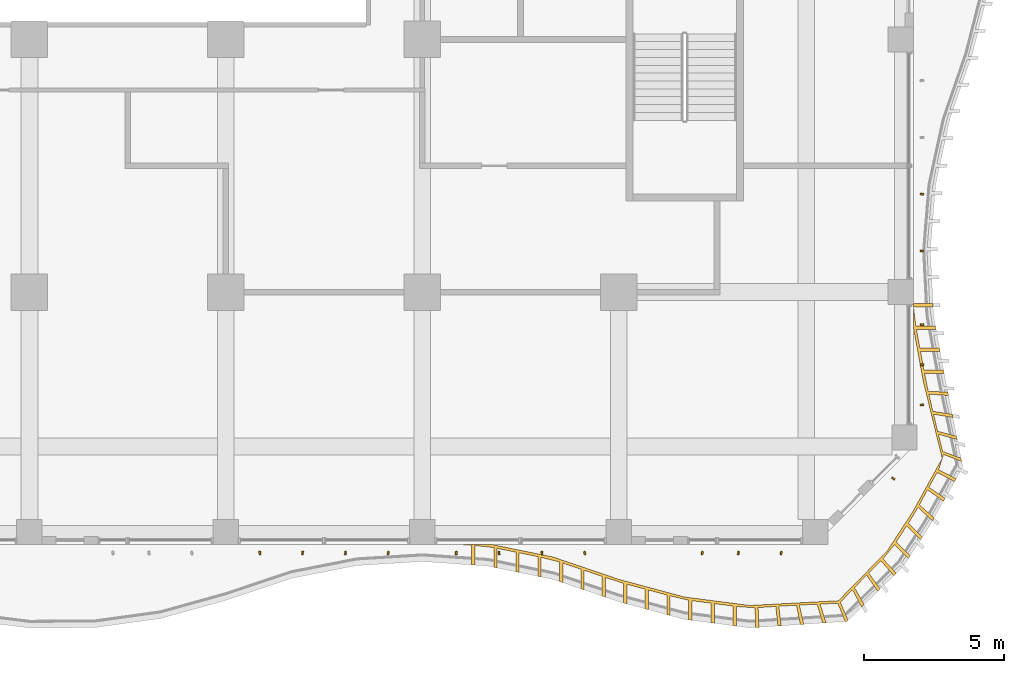
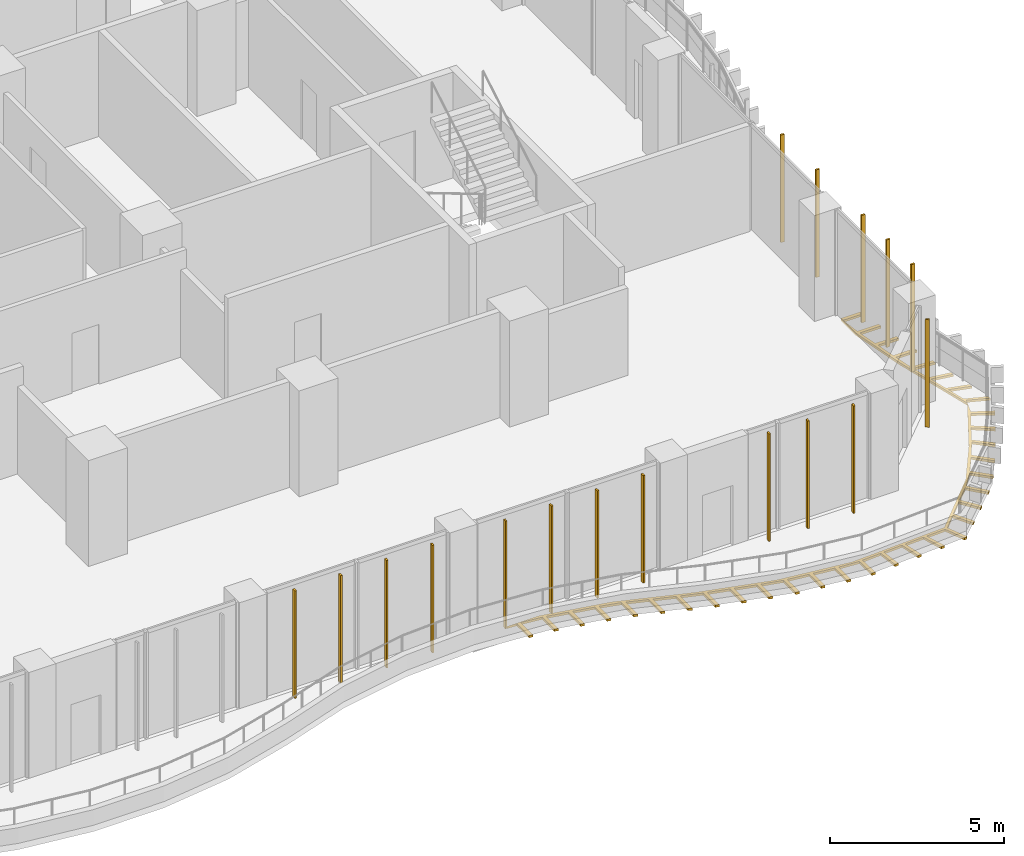
# One storey, part 21 of 26: 18 shading devices.
"""IFC4 building model written with IfcOpenShell, lengths in metres."""

from ifc_helpers import new_model, si_unit, direction, frame, origin, origin_2d, place, context, subcontext, project, spatial, polyline, rectangle, outline, extrude, source, transform, mapped, material, layer, layer_set, material_profile, profile_set, type_object, element, save


model = new_model("IFC4")

# Units and contexts
model_context = context("Model", 3, precision=1e-05, world=origin(), true_north=direction((0.0, 1.0)))
body_context = subcontext(model_context, "Body", "Model", "MODEL_VIEW")
ifc_project = project(units=[si_unit("LENGTHUNIT", "METRE"), si_unit("AREAUNIT", "SQUARE_METRE"), si_unit("VOLUMEUNIT", "CUBIC_METRE"), si_unit("PLANEANGLEUNIT", "RADIAN"), si_unit("MASSUNIT", "GRAM", prefix="KILO")], contexts=[model_context])

# Site, building, storey
site_placement = place(None, origin())
site = spatial("IfcSite", under=ifc_project, at=site_placement, CompositionType="ELEMENT")
building_placement = place(site_placement, origin())
building = spatial("IfcBuilding", under=site, at=building_placement, Name="Kilnfold Tower and Market Hall", CompositionType="ELEMENT")
storey_placement = place(building_placement, frame((0.0, 0.0, 31.0)))
storey = spatial("IfcBuildingStorey", under=building, at=storey_placement, Name="L06", CompositionType="ELEMENT", Elevation=31.0)

# Shading devices
ifc_material_1 = material(Name="Terracotta", Category="masonry")
ifc_material_profile = material_profile(ifc_material_1, rectangle(XDim=0.06005859375, YDim=0.1201171875, at=origin_2d()), Name="BAG 60x120")
ifc_profile_set = profile_set([ifc_material_profile], Name="Terracotta")
shading_device_type_1 = type_object("IfcShadingDeviceType", Name="BAGUETTE", PredefinedType="USERDEFINED", material=ifc_profile_set)
shared_shape_1 = source(origin(), body_context, "Body", "SweptSolid", [
    extrude(rectangle(XDim=0.06005859375, YDim=0.1201171875, at=origin_2d()), origin(), (0.0, 0.0, 1.0), 3.780029296875),
])
for number, where, z_axis, x_axis, name in (
    (1, (4.71240234375, -28.300048828125, 0.0), (0.0, 0.0, 1.0), (0.999671297003, 0.025637822595, 0.0), "Terracotta baguette L06 S"),
    (2, (6.237548828125, -28.300048828125, 0.0), (0.0, 0.0, 1.0), (0.997762431677, -0.066859030313, 0.0), "Terracotta baguette L06 S"),
    (3, (7.762451171875, -28.300048828125, 0.0), (0.0, 0.0, 1.0), (0.991650018709, -0.128958289356, 0.0), "Terracotta baguette L06 S"),
    (4, (9.28759765625, -28.300048828125, 0.0), (0.0, 0.0, 1.0), (0.991104625852, -0.133085012734, 0.0), "Terracotta baguette L06 S"),
    (5, (11.71240234375, -28.300048828125, 0.0), (0.0, 0.0, 1.0), (0.999671297003, -0.025637822595, 0.0), "Terracotta baguette L06 S"),
    (6, (13.237548828125, -28.300048828125, 0.0), (0.0, 0.0, 1.0), (0.997762431677, 0.066859030313, 0.0), "Terracotta baguette L06 S"),
    (7, (14.762451171875, -28.300048828125, 0.0), (0.0, 0.0, 1.0), (0.991650018709, 0.128958289356, 0.0), "Terracotta baguette L06 S"),
    (8, (16.28759765625, -28.300048828125, 0.0), (0.0, 0.0, 1.0), (0.991104625852, 0.133085012734, 0.0), "Terracotta baguette L06 S"),
    (9, (20.47509765625, -28.300048828125, 0.0), (0.0, 0.0, 1.0), (0.996836289843, -0.079482144235, 0.0), "Terracotta baguette L06 S"),
    (10, (21.762451171875, -28.300048828125, 0.0), (0.0, 0.0, 1.0), (0.991650018709, -0.128958289356, 0.0), "Terracotta baguette L06 S"),
    (11, (23.28759765625, -28.300048828125, 0.0), (0.0, 0.0, 1.0), (0.991104625852, -0.133085012734, 0.0), "Terracotta baguette L06 S"),
    (12, (27.28173828125, -25.642578125, 0.0), (0.0, 0.0, 1.0), (0.625555890795, 0.780179355976, 0.0), "Terracotta baguette L06 SE"),
    (13, (28.300048828125, -23.018310546875, 0.0), (0.0, 0.0, 1.0), (-0.116005081588, 0.993248619957, 0.0), "Terracotta baguette L06 E"),
    (14, (28.300048828125, -21.5908203125, 0.0), (0.0, 0.0, 1.0), (-0.046993129945, 0.998895212591, 0.0), "Terracotta baguette L06 E"),
    (15, (28.300048828125, -20.16357421875, 0.0), (0.0, 0.0, 1.0), (0.040871204916, 0.99916442321, 0.0), "Terracotta baguette L06 E"),
    (16, (28.300048828125, -17.53759765625, 0.0), (0.0, 0.0, 1.0), (0.138549141255, 0.990355560118, 0.0), "Terracotta baguette L06 E"),
    (17, (28.300048828125, -15.512451171875, 0.0), (0.0, 0.0, 1.0), (0.095741514349, 0.995406229853, 0.0), "Terracotta baguette L06 E"),
):
    element("IfcShadingDevice", number, at=place(storey_placement, frame(where, z_axis=z_axis, x_axis=x_axis)), inside=storey, type_object=shading_device_type_1, Name=name, ObjectType="BAGUETTE", PredefinedType="USERDEFINED", context=body_context, shape_type="MappedRepresentation", body=[
        mapped(shared_shape_1, transform((0.0, 0.0, 0.0))),
    ])
ifc_material_2 = material(Name="Bronze anodised aluminium", Category="aluminium")
ifc_layer = layer(ifc_material_2, 0.080078125)
ifc_layer_set = layer_set([ifc_layer], Name="Bronze anodised aluminium")
shading_device_type_2 = type_object("IfcShadingDeviceType", Name="BRONZE SLAT SOFFIT 80", PredefinedType="USERDEFINED", material=ifc_layer_set)
shared_shape_2 = source(origin(), body_context, "Body", "SweptSolid", [
    extrude(outline(polyline([(15.166748046875, -28.440185546875), (17.5, -29.232177734375), (19.833251953125, -29.860595703125), (22.166748046875, -30.1640625), (25.326416015625, -29.9951171875), (27.060302734375, -28.226806640625), (27.98095703125, -26.814208984375), (29.022216796875, -24.923583984375), (28.3466796875, -22.166748046875), (28.0, -20.27880859375), (28.0, -19.41455078125), (28.697509765625, -19.41455078125), (28.703369140625, -19.534423828125), (28.00341796875, -19.534423828125), (28.0869140625, -20.207763671875), (28.787109375, -20.207763671875), (28.80859375, -20.32568359375), (28.108642578125, -20.32568359375), (28.2314453125, -20.99462890625), (28.931396484375, -20.99462890625), (28.93408203125, -21.009521484375), (28.953125, -21.112548828125), (28.253173828125, -21.112548828125), (28.3759765625, -21.781494140625), (29.075927734375, -21.781494140625), (29.09765625, -21.8994140625), (28.397705078125, -21.8994140625), (28.52783203125, -22.53173828125), (29.22705078125, -22.56689453125), (29.250732421875, -22.684814453125), (28.55224609375, -22.638916015625), (28.6923828125, -23.245849609375), (29.384521484375, -23.351318359375), (29.408203125, -23.468994140625), (28.7177734375, -23.352783203125), (28.8642578125, -23.96044921875), (29.5419921875, -24.1357421875), (29.5654296875, -24.25341796875), (28.890380859375, -24.06787109375), (29.04248046875, -24.677490234375), (29.69921875, -24.920166015625), (29.722900390625, -25.03759765625), (29.06982421875, -24.785400390625), (28.898681640625, -25.335205078125), (29.523193359375, -25.6513671875), (29.464111328125, -25.755859375), (28.845703125, -25.427734375), (28.55078125, -25.954345703125), (29.129638671875, -26.347900390625), (29.07080078125, -26.452392578125), (28.49951171875, -26.047607421875), (28.21240234375, -26.580078125), (28.736083984375, -27.04443359375), (28.67724609375, -27.148681640625), (28.162109375, -26.6748046875), (27.8251953125, -27.232421875), (28.3203125, -27.727294921875), (28.254638671875, -27.827880859375), (27.759765625, -27.332763671875), (27.388427734375, -27.902587890625), (27.88330078125, -28.3974609375), (27.81787109375, -28.498046875), (27.322998046875, -28.0029296875), (26.918701171875, -28.504638671875), (27.390625, -29.021728515625), (27.3046875, -29.10546875), (26.841552734375, -28.58056640625), (26.406982421875, -29.012939453125), (26.817626953125, -29.579833984375), (26.731689453125, -29.66357421875), (26.330810546875, -29.089599609375), (25.9013671875, -29.528076171875), (26.244384765625, -30.13818359375), (26.158447265625, -30.2216796875), (25.82568359375, -29.60595703125), (25.398681640625, -30.051513671875), (25.67138671875, -30.6962890625), (25.632568359375, -30.734130859375), (25.56689453125, -30.738525390625), (25.3037109375, -30.08984375), (24.67529296875, -30.11669921875), (24.888427734375, -30.78369140625), (24.768798828125, -30.79150390625), (24.564697265625, -30.121826171875), (23.938720703125, -30.153076171875), (24.090087890625, -30.83642578125), (23.970458984375, -30.844482421875), (23.828369140625, -30.158935546875), (23.20361328125, -30.195068359375), (23.2919921875, -30.889404296875), (23.17236328125, -30.8974609375), (23.09326171875, -30.201904296875), (22.46826171875, -30.242919921875), (22.49365234375, -30.9423828125), (22.3740234375, -30.9501953125), (22.35791015625, -30.25048828125), (21.698486328125, -30.203125), (21.698486328125, -30.9033203125), (21.579345703125, -30.8876953125), (21.579345703125, -30.187744140625), (20.905029296875, -30.10009765625), (20.905029296875, -30.800048828125), (20.7861328125, -30.784423828125), (20.7861328125, -30.08447265625), (20.11181640625, -29.99658203125), (20.11181640625, -30.69677734375), (19.992919921875, -30.681396484375), (19.992919921875, -29.981201171875), (19.33203125, -29.825439453125), (19.33203125, -30.525390625), (19.216064453125, -30.494384765625), (19.216064453125, -29.794189453125), (18.5595703125, -29.617431640625), (18.5595703125, -30.3173828125), (18.443603515625, -30.2861328125), (18.443603515625, -29.586181640625), (17.787109375, -29.409423828125), (17.787109375, -30.109375), (17.671142578125, -30.078125), (17.671142578125, -29.378173828125), (17.02392578125, -29.17041015625), (17.02392578125, -29.87060546875), (16.910400390625, -29.831787109375), (16.910400390625, -29.1318359375), (16.266357421875, -28.913330078125), (16.266357421875, -29.61328125), (16.15283203125, -29.57470703125), (16.15283203125, -28.874755859375), (15.5087890625, -28.65625), (15.5087890625, -29.356201171875), (15.395263671875, -29.317626953125), (15.395263671875, -28.61767578125), (14.73681640625, -28.4521484375), (14.73681640625, -29.152099609375), (14.619384765625, -29.128173828125), (14.619384765625, -28.427978515625), (13.953125, -28.291748046875), (13.953125, -28.99169921875), (13.835693359375, -28.9677734375), (13.835693359375, -28.267578125), (13.16943359375, -28.13134765625), (13.16943359375, -28.831298828125), (13.0517578125, -28.807373046875), (13.0517578125, -28.107421875), (12.37744140625, -28.031005859375), (12.37744140625, -28.73095703125), (12.2578125, -28.722412109375), (12.2578125, -28.0224609375), (11.934326171875, -28.0), (13.01611328125, -28.0), (15.166748046875, -28.440185546875)])), origin(), (0.0, 0.0, 1.0), 0.080078125),
])
shading_device_placement = place(storey_placement, frame((0.0, 0.0, -0.300048828125)))
element("IfcShadingDevice", 18, at=shading_device_placement, inside=storey, type_object=shading_device_type_2, Name="Balcony soffit slats L06", ObjectType="SLAT", PredefinedType="USERDEFINED", context=body_context, shape_type="MappedRepresentation", body=[
    mapped(shared_shape_2, transform((0.0, 0.0, 0.0))),
])

save(model, "model.ifc")
